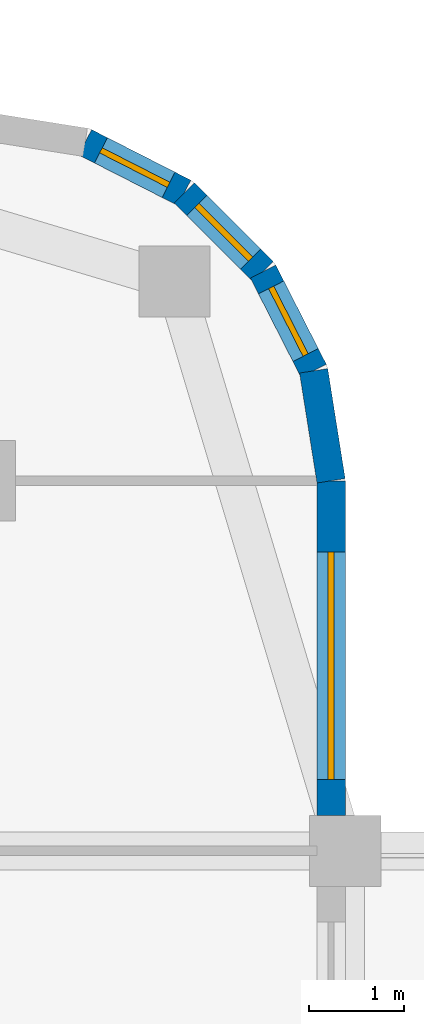
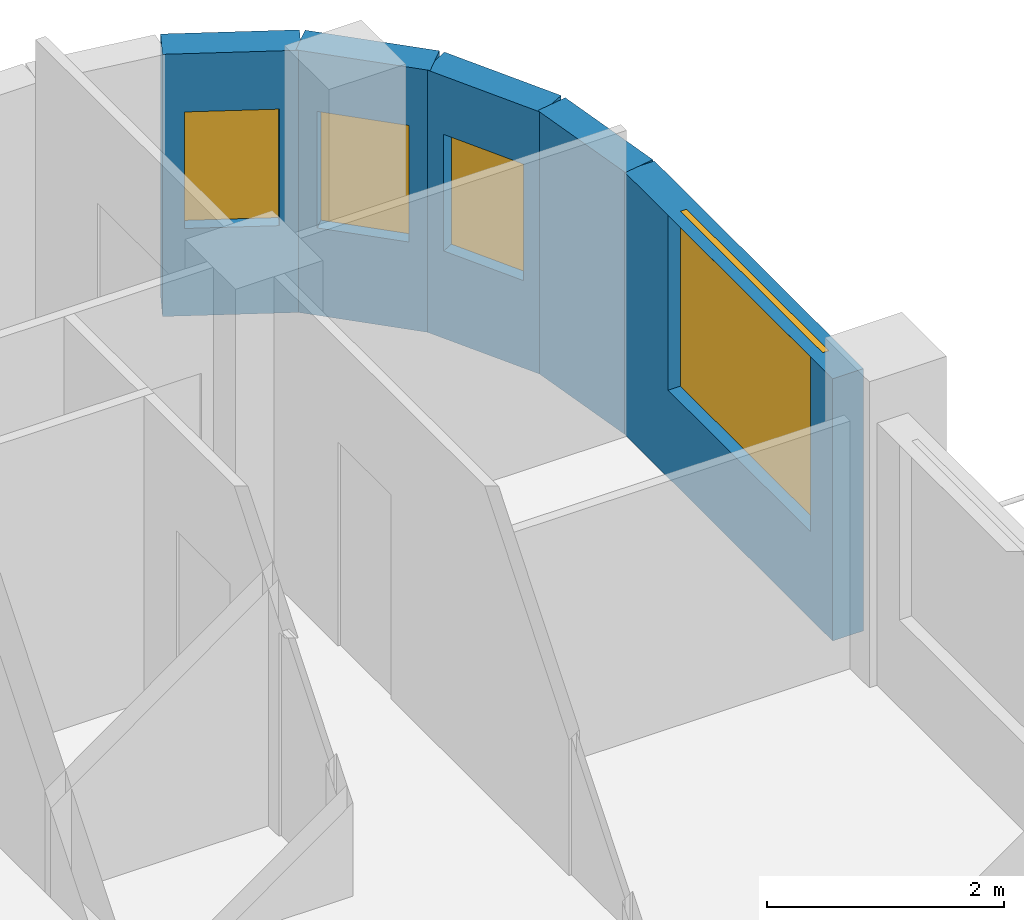
# One storey, part 9 of 13: 5 walls, 4 windows, 4 openings.
"""IFC4 building model written with IfcOpenShell, lengths in metres."""

from ifc_helpers import new_model, si_unit, direction, frame, frame_2d, origin, place, context, subcontext, project, spatial, rectangle, extrude, material, layer, layer_set, type_object, element, fill, save


model = new_model("IFC4")

# Units and contexts
model_context = context("Model", 3, precision=1e-05, world=origin(), true_north=direction((0.0, 1.0)))
body_context = subcontext(model_context, "Body", "Model", "MODEL_VIEW")
ifc_project = project(units=[si_unit("LENGTHUNIT", "METRE"), si_unit("AREAUNIT", "SQUARE_METRE"), si_unit("VOLUMEUNIT", "CUBIC_METRE"), si_unit("PLANEANGLEUNIT", "RADIAN"), si_unit("MASSUNIT", "GRAM", prefix="KILO")], contexts=[model_context])

# Site, building, storey
site_placement = place(None, origin())
site = spatial("IfcSite", under=ifc_project, at=site_placement, CompositionType="ELEMENT")
building_placement = place(site_placement, origin())
building = spatial("IfcBuilding", under=site, at=building_placement, Name="Ludao Terraces", CompositionType="ELEMENT")
storey_placement = place(building_placement, frame((0.0, 0.0, 152.0)))
storey = spatial("IfcBuildingStorey", under=building, at=storey_placement, Name="L41", CompositionType="ELEMENT", Elevation=152.0)

# Wall, opening, window
ifc_material_1 = material(Name="Granite cladding", Category="masonry")
ifc_layer_1 = layer(ifc_material_1, 0.0400390625, Category="stone")
ifc_material_2 = material(Name="Mineral wool")
ifc_layer_2 = layer(ifc_material_2, 0.06005859375)
ifc_material_3 = material(Name="Concrete C40", Category="concrete")
ifc_layer_3 = layer(ifc_material_3, 0.199951171875, Category="concrete")
ifc_layer_set_1 = layer_set([ifc_layer_1, ifc_layer_2, ifc_layer_3], Name="ENV Stone-clad wall 300")
wall_type = type_object("IfcWallType", Name="ENV Stone-clad wall 300", PredefinedType="SOLIDWALL", material=ifc_layer_set_1)
wall_1_placement = place(storey_placement, frame((104.35009765625, 77.074951171875, 0.0), z_axis=(0.0, 0.0, 1.0), x_axis=(0.0, 1.0, 0.0)))
wall_1 = element("IfcWall", 1, at=wall_1_placement, inside=storey, type_object=wall_type, Name="EW-L41-E5", PredefinedType="SOLIDWALL", context=body_context, shape_type="SweptSolid", body=[
    extrude(rectangle(XDim=3.525146484375, YDim=0.300048828125, at=frame_2d((1.7626953125, 0.0))), origin(), (0.0, 0.0, 1.0), 2.699951171875),
])
opening_1_placement = place(wall_1_placement, frame((0.375, 0.0, 0.89990234375)))
opening_1 = element("IfcOpeningElement", 2, at=opening_1_placement, cuts=wall_1, Name="Opening W1", PredefinedType="OPENING", context=body_context, shape_type="SweptSolid", body=[
    extrude(rectangle(XDim=2.39990234375, YDim=1.800048828125, at=frame_2d((1.199951171875, 0.89990234375))), frame((0.0, 0.16015625, 0.0), z_axis=(0.0, -1.0, 0.0), x_axis=(1.0, 0.0, 0.0)), (0.0, 0.0, 1.0), 0.320068359375),
])
ifc_material_4 = material(Name="Clear glass in aluminium frame", Category="aluminium")
ifc_layer_4 = layer(ifc_material_4, 0.06005859375)
ifc_layer_set_2 = layer_set([ifc_layer_4], Name="ENV Window W1 2400x1800")
window_type_1 = type_object("IfcWindowType", Name="ENV Window W1 2400x1800", PartitioningType="DOUBLE_PANEL_VERTICAL", PredefinedType="WINDOW", material=ifc_layer_set_2)
window_1_placement = place(opening_1_placement, origin())
window_1 = element("IfcWindow", 3, at=window_1_placement, inside=storey, type_object=window_type_1, Name="W-L41-E5-1", OverallHeight=1.800048828125, OverallWidth=2.39990234375, PartitioningType="DOUBLE_PANEL_VERTICAL", PredefinedType="WINDOW", context=body_context, shape_type="SweptSolid", body=[
    extrude(rectangle(XDim=2.39990234375, YDim=1.800048828125, at=frame_2d((1.199951171875, 0.89990234375))), frame((0.0, 0.030029296875, 0.0), z_axis=(0.0, -1.0, 0.0), x_axis=(1.0, 0.0, 0.0)), (0.0, 0.0, 1.0), 0.06005859375),
])
fill(opening_1, window_1)

# Wall
wall_2_placement = place(storey_placement, frame((104.35009765625, 80.60009765625, 0.0), z_axis=(0.0, 0.0, 1.0), x_axis=(-0.156496880861, 0.987678452879, 0.0)))
element("IfcWall", 4, at=wall_2_placement, inside=storey, type_object=wall_type, Name="EW-L41-NE1", PredefinedType="SOLIDWALL", context=body_context, shape_type="SweptSolid", body=[
    extrude(rectangle(XDim=1.173095703125, YDim=0.300048828125, at=frame_2d((0.58642578125, 0.0))), origin(), (0.0, 0.0, 1.0), 2.699951171875),
])

# Wall, opening, window
wall_3_placement = place(storey_placement, frame((104.16650390625, 81.7587890625, 0.0), z_axis=(0.0, 0.0, 1.0), x_axis=(-0.454025524128, 0.890988677504, 0.0)))
wall_3 = element("IfcWall", 5, at=wall_3_placement, inside=storey, type_object=wall_type, Name="EW-L41-NE2", PredefinedType="SOLIDWALL", context=body_context, shape_type="SweptSolid", body=[
    extrude(rectangle(XDim=1.17333984375, YDim=0.300048828125, at=frame_2d((0.586669921875, 0.0))), origin(), (0.0, 0.0, 1.0), 2.699951171875),
])
opening_2_placement = place(wall_3_placement, frame((0.1865234375, 0.0, 0.89990234375)))
opening_2 = element("IfcOpeningElement", 6, at=opening_2_placement, cuts=wall_3, Name="Opening W3", PredefinedType="OPENING", context=body_context, shape_type="SweptSolid", body=[
    extrude(rectangle(XDim=0.800048828125, YDim=1.199951171875, at=frame_2d((0.39990234375, 0.60009765625))), frame((0.0, 0.16015625, 0.0), z_axis=(0.0, -1.0, 0.0), x_axis=(1.0, 0.0, 0.0)), (0.0, 0.0, 1.0), 0.320068359375),
])
ifc_layer_5 = layer(ifc_material_4, 0.06005859375)
ifc_layer_set_3 = layer_set([ifc_layer_5], Name="ENV Window W3 800x1200")
window_type_2 = type_object("IfcWindowType", Name="ENV Window W3 800x1200", PartitioningType="SINGLE_PANEL", PredefinedType="WINDOW", material=ifc_layer_set_3)
window_2_placement = place(opening_2_placement, origin())
window_2 = element("IfcWindow", 7, at=window_2_placement, inside=storey, type_object=window_type_2, Name="W-L41-NE2", OverallHeight=1.199951171875, OverallWidth=0.800048828125, PartitioningType="SINGLE_PANEL", PredefinedType="WINDOW", context=body_context, shape_type="SweptSolid", body=[
    extrude(rectangle(XDim=0.800048828125, YDim=1.199951171875, at=frame_2d((0.39990234375, 0.60009765625))), frame((0.0, 0.030029296875, 0.0), z_axis=(0.0, -1.0, 0.0), x_axis=(1.0, 0.0, 0.0)), (0.0, 0.0, 1.0), 0.06005859375),
])
fill(opening_2, window_2)

wall_4_placement = place(storey_placement, frame((103.6337890625, 82.80419921875, 0.0), z_axis=(0.0, 0.0, 1.0), x_axis=(-0.707106781187, 0.707106781187, 0.0)))
wall_4 = element("IfcWall", 8, at=wall_4_placement, inside=storey, type_object=wall_type, Name="EW-L41-NE3", PredefinedType="SOLIDWALL", context=body_context, shape_type="SweptSolid", body=[
    extrude(rectangle(XDim=1.173095703125, YDim=0.300048828125, at=frame_2d((0.58642578125, 0.0))), origin(), (0.0, 0.0, 1.0), 2.699951171875),
])
opening_3_placement = place(wall_4_placement, frame((0.1865234375, 0.0, 0.89990234375)))
opening_3 = element("IfcOpeningElement", 9, at=opening_3_placement, cuts=wall_4, Name="Opening W3", PredefinedType="OPENING", context=body_context, shape_type="SweptSolid", body=[
    extrude(rectangle(XDim=0.800048828125, YDim=1.199951171875, at=frame_2d((0.39990234375, 0.60009765625))), frame((0.0, 0.16015625, 0.0), z_axis=(0.0, -1.0, 0.0), x_axis=(1.0, 0.0, 0.0)), (0.0, 0.0, 1.0), 0.320068359375),
])
window_3_placement = place(opening_3_placement, origin())
window_3 = element("IfcWindow", 10, at=window_3_placement, inside=storey, type_object=window_type_2, Name="W-L41-NE3", OverallHeight=1.199951171875, OverallWidth=0.800048828125, PartitioningType="SINGLE_PANEL", PredefinedType="WINDOW", context=body_context, shape_type="SweptSolid", body=[
    extrude(rectangle(XDim=0.800048828125, YDim=1.199951171875, at=frame_2d((0.39990234375, 0.60009765625))), frame((0.0, 0.030029296875, 0.0), z_axis=(0.0, -1.0, 0.0), x_axis=(1.0, 0.0, 0.0)), (0.0, 0.0, 1.0), 0.06005859375),
])
fill(opening_3, window_3)

wall_5_placement = place(storey_placement, frame((102.80419921875, 83.6337890625, 0.0), z_axis=(0.0, 0.0, 1.0), x_axis=(-0.890988677504, 0.454025524128, 0.0)))
wall_5 = element("IfcWall", 11, at=wall_5_placement, inside=storey, type_object=wall_type, Name="EW-L41-NE4", PredefinedType="SOLIDWALL", context=body_context, shape_type="SweptSolid", body=[
    extrude(rectangle(XDim=1.17333984375, YDim=0.300048828125, at=frame_2d((0.586669921875, 0.0))), origin(), (0.0, 0.0, 1.0), 2.699951171875),
])
opening_4_placement = place(wall_5_placement, frame((0.1865234375, 0.0, 0.89990234375)))
opening_4 = element("IfcOpeningElement", 12, at=opening_4_placement, cuts=wall_5, Name="Opening W3", PredefinedType="OPENING", context=body_context, shape_type="SweptSolid", body=[
    extrude(rectangle(XDim=0.800048828125, YDim=1.199951171875, at=frame_2d((0.39990234375, 0.60009765625))), frame((0.0, 0.16015625, 0.0), z_axis=(0.0, -1.0, 0.0), x_axis=(1.0, 0.0, 0.0)), (0.0, 0.0, 1.0), 0.320068359375),
])
window_4_placement = place(opening_4_placement, origin())
window_4 = element("IfcWindow", 13, at=window_4_placement, inside=storey, type_object=window_type_2, Name="W-L41-NE4", OverallHeight=1.199951171875, OverallWidth=0.800048828125, PartitioningType="SINGLE_PANEL", PredefinedType="WINDOW", context=body_context, shape_type="SweptSolid", body=[
    extrude(rectangle(XDim=0.800048828125, YDim=1.199951171875, at=frame_2d((0.39990234375, 0.60009765625))), frame((0.0, 0.030029296875, 0.0), z_axis=(0.0, -1.0, 0.0), x_axis=(1.0, 0.0, 0.0)), (0.0, 0.0, 1.0), 0.06005859375),
])
fill(opening_4, window_4)

save(model, "model.ifc")
